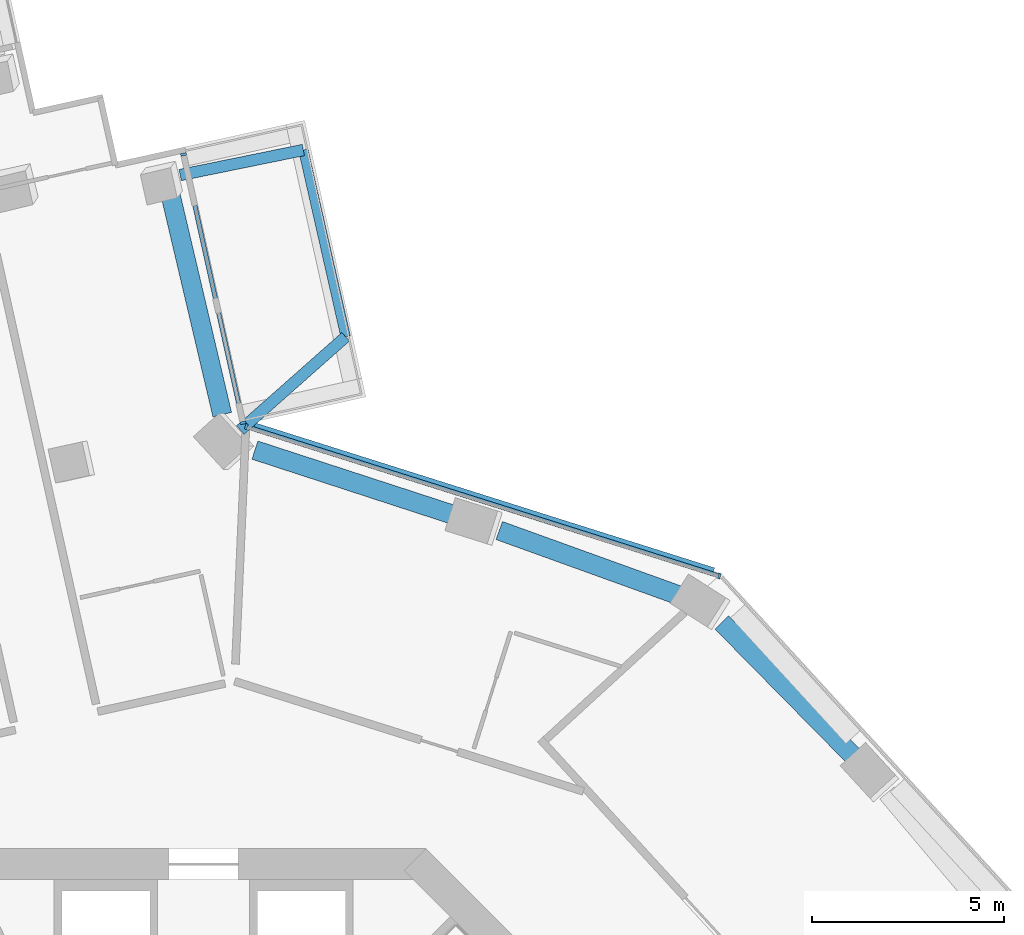
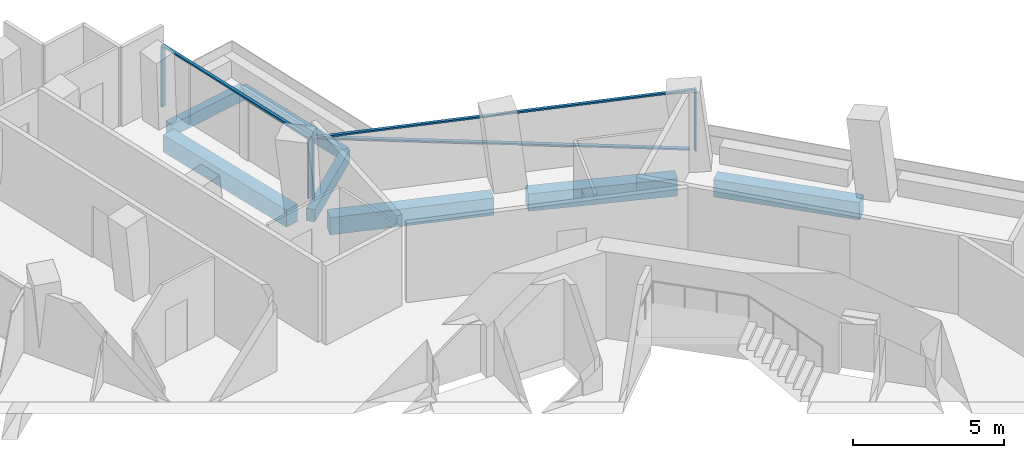
# One storey, part 9 of 24: 7 beams, 7 members, 2 elements without a shape of their own.
"""IFC4 building model written with IfcOpenShell, lengths in metres."""

from ifc_helpers import new_model, si_unit, direction, frame, origin, origin_2d, place, context, subcontext, project, spatial, rectangle, extrude, material, layer, layer_set, material_profile, profile_set, type_object, element, aggregate, save


model = new_model("IFC4")

# Units and contexts
model_context = context("Model", 3, precision=1e-05, world=origin(), true_north=direction((0.0, 1.0)))
body_context = subcontext(model_context, "Body", "Model", "MODEL_VIEW")
ifc_project = project(units=[si_unit("LENGTHUNIT", "METRE"), si_unit("AREAUNIT", "SQUARE_METRE"), si_unit("VOLUMEUNIT", "CUBIC_METRE"), si_unit("PLANEANGLEUNIT", "RADIAN"), si_unit("MASSUNIT", "GRAM", prefix="KILO")], contexts=[model_context])

# Site, building, storey
site_placement = place(None, origin())
site = spatial("IfcSite", under=ifc_project, at=site_placement, CompositionType="ELEMENT")
building_placement = place(site_placement, origin())
building = spatial("IfcBuilding", under=site, at=building_placement, Name="Verdalira Terraces Hotel", CompositionType="ELEMENT")
storey_placement = place(building_placement, frame((0.0, 0.0, 86.0)))
storey = spatial("IfcBuildingStorey", under=building, at=storey_placement, Name="L19", CompositionType="ELEMENT", Elevation=86.0)

# Beams
ifc_material_1 = material(Name="Concrete C40", Category="concrete")
ifc_material_profile_1 = material_profile(ifc_material_1, rectangle(XDim=0.300049, YDim=0.5, at=origin_2d()), Name="RC 300X500")
ifc_profile_set_1 = profile_set([ifc_material_profile_1], Name="Concrete C40")
beam_type_1 = type_object("IfcBeamType", Name="Balcony cantilever beam RC 300X500 C40", PredefinedType="BEAM", material=ifc_profile_set_1)
beam_1_placement = place(storey_placement, frame((0.955811, 24.919434, -0.560059), z_axis=(0.748733522, 0.662871113, 0.0), x_axis=(-0.662871113, 0.748733522, 0.0)))
element("IfcBeam", 1, at=beam_1_placement, inside=storey, type_object=beam_type_1, Name="Balcony cantilever beam R00-1", PredefinedType="BEAM", context=body_context, shape_type="SweptSolid", body=[
    extrude(rectangle(XDim=0.300049, YDim=0.5, at=origin_2d()), origin(), (0.0, 0.0, 1.0), 3.667969),
])
beam_2_placement = place(storey_placement, frame((-0.614014, 31.568604, -0.560059), z_axis=(0.979860899, 0.199681291, 0.0), x_axis=(-0.199681291, 0.979860899, 0.0)))
element("IfcBeam", 2, at=beam_2_placement, inside=storey, type_object=beam_type_1, Name="Balcony cantilever beam R00-2", PredefinedType="BEAM", context=body_context, shape_type="SweptSolid", body=[
    extrude(rectangle(XDim=0.300049, YDim=0.5, at=origin_2d()), origin(), (0.0, 0.0, 1.0), 3.277832),
])
ifc_material_2 = material(Name="Concrete C40", Category="concrete")
ifc_material_profile_2 = material_profile(ifc_material_2, rectangle(XDim=0.25, YDim=0.449951, at=origin_2d()), Name="RC 250X450")
ifc_profile_set_2 = profile_set([ifc_material_profile_2], Name="Concrete C40")
beam_type_2 = type_object("IfcBeamType", Name="Balcony edge beam RC 250X450 C40", PredefinedType="BEAM", material=ifc_profile_set_2)
beam_3_placement = place(storey_placement, frame((3.702148, 27.35083, -0.534912), z_axis=(-0.221031762, 0.97526661, 0.0), x_axis=(-0.97526661, -0.221031762, 0.0)))
element("IfcBeam", 3, at=beam_3_placement, inside=storey, type_object=beam_type_2, Name="Balcony edge beam R00-1", PredefinedType="BEAM", context=body_context, shape_type="SweptSolid", body=[
    extrude(rectangle(XDim=0.25, YDim=0.449951, at=origin_2d()), origin(), (0.0, 0.0, 1.0), 4.99585),
])

# Curtain wall, members
ifc_material_3 = material(Name="Clear glass", Category="glass")
ifc_layer_1 = layer(ifc_material_3, 0.14990234375)
ifc_layer_set_1 = layer_set([ifc_layer_1], Name="CW1 curtain wall")
curtain_wall_type_1 = type_object("IfcCurtainWallType", Name="CW1 curtain wall", PredefinedType="NOTDEFINED", material=ifc_layer_set_1)
curtain_wall_1_placement = place(storey_placement, origin())
curtain_wall_1 = element("IfcCurtainWall", 4, at=curtain_wall_1_placement, inside=storey, type_object=curtain_wall_type_1, Name="CW1 curtain wall L19 edge 41", PredefinedType="NOTDEFINED")
ifc_material_4 = material(Name="Terracotta frame", Category="masonry")
ifc_material_profile_3 = material_profile(ifc_material_4, rectangle(XDim=0.060059, YDim=0.149902, at=origin_2d()), Name="MU 60x150")
ifc_profile_set_3 = profile_set([ifc_material_profile_3], Name="Terracotta frame")
member_type_1 = type_object("IfcMemberType", Name="CW1 mullion 60x150", PredefinedType="MULLION", material=ifc_profile_set_3)
member_1_placement = place(storey_placement, frame((13.449951, 21.11377, 0.0), z_axis=(0.0, 0.0, 1.0), x_axis=(-0.953611927, 0.301038691, 0.0)))
member_1 = element("IfcMember", 5, at=member_1_placement, type_object=member_type_1, Name="CW1 mullion", PredefinedType="MULLION", context=body_context, shape_type="SweptSolid", body=[
    extrude(rectangle(XDim=0.060059, YDim=0.149902, at=origin_2d()), origin(), (0.0, 0.0, 1.0), 2.425049),
])
member_2_placement = place(storey_placement, frame((1.110352, 25.009277, 0.0), z_axis=(0.0, 0.0, 1.0), x_axis=(-0.953611927, 0.301038691, 0.0)))
member_2 = element("IfcMember", 6, at=member_2_placement, type_object=member_type_1, Name="CW1 mullion", PredefinedType="MULLION", context=body_context, shape_type="SweptSolid", body=[
    extrude(rectangle(XDim=0.060059, YDim=0.149902, at=origin_2d()), origin(), (0.0, 0.0, 1.0), 2.425049),
])
ifc_material_5 = material(Name="Terracotta frame", Category="masonry")
ifc_material_profile_4 = material_profile(ifc_material_5, rectangle(XDim=0.110107, YDim=0.064941, at=origin_2d()), Name="TR 65x110")
ifc_profile_set_4 = profile_set([ifc_material_profile_4], Name="Terracotta frame")
member_type_2 = type_object("IfcMemberType", Name="CW1 transom 65x110", PredefinedType="USERDEFINED", material=ifc_profile_set_4)
member_3_placement = place(storey_placement, frame((13.478516, 21.104736, 2.45752), z_axis=(-0.953610476, 0.301043285, 0.0), x_axis=(-0.301043285, -0.953610476, 0.0)))
member_3 = element("IfcMember", 7, at=member_3_placement, type_object=member_type_2, Name="CW1 transom", ObjectType="TRANSOM", PredefinedType="USERDEFINED", context=body_context, shape_type="SweptSolid", body=[
    extrude(rectangle(XDim=0.110107, YDim=0.064941, at=origin_2d()), origin(), (0.0, 0.0, 1.0), 13.0),
])

ifc_material_6 = material(Name="Clear glass", Category="glass")
ifc_layer_2 = layer(ifc_material_6, 0.14990234375)
ifc_layer_set_2 = layer_set([ifc_layer_2], Name="CW2 curtain wall")
curtain_wall_type_2 = type_object("IfcCurtainWallType", Name="CW2 curtain wall", PredefinedType="NOTDEFINED", material=ifc_layer_set_2)
curtain_wall_2_placement = place(storey_placement, origin())
curtain_wall_2 = element("IfcCurtainWall", 8, at=curtain_wall_2_placement, inside=storey, type_object=curtain_wall_type_2, Name="CW2 curtain wall L19 edge 0", PredefinedType="NOTDEFINED")
ifc_material_7 = material(Name="Terracotta frame", Category="masonry")
ifc_material_profile_5 = material_profile(ifc_material_7, rectangle(XDim=0.070068, YDim=0.149902, at=origin_2d()), Name="MU 70x150")
ifc_profile_set_5 = profile_set([ifc_material_profile_5], Name="Terracotta frame")
member_type_3 = type_object("IfcMemberType", Name="CW2 mullion 70x150", PredefinedType="MULLION", material=ifc_profile_set_5)
member_4_placement = place(storey_placement, frame((1.023438, 25.107666, 0.0), z_axis=(0.0, 0.0, 1.0), x_axis=(-0.216098809, 0.976371499, 0.0)))
member_4 = element("IfcMember", 9, at=member_4_placement, type_object=member_type_3, Name="CW2 mullion", PredefinedType="MULLION", context=body_context, shape_type="SweptSolid", body=[
    extrude(rectangle(XDim=0.070068, YDim=0.149902, at=origin_2d()), origin(), (0.0, 0.0, 1.0), 2.425049),
])
member_5_placement = place(storey_placement, frame((-0.525635, 32.106934, 0.0), z_axis=(0.0, 0.0, 1.0), x_axis=(-0.216098809, 0.976371499, 0.0)))
member_5 = element("IfcMember", 10, at=member_5_placement, type_object=member_type_3, Name="CW2 mullion", PredefinedType="MULLION", context=body_context, shape_type="SweptSolid", body=[
    extrude(rectangle(XDim=0.070068, YDim=0.149902, at=origin_2d()), origin(), (0.0, 0.0, 1.0), 2.425049),
])
ifc_material_8 = material(Name="Terracotta frame", Category="masonry")
ifc_material_profile_6 = material_profile(ifc_material_8, rectangle(XDim=0.11499, YDim=0.064941, at=origin_2d()), Name="TR 65x115")
ifc_profile_set_6 = profile_set([ifc_material_profile_6], Name="Terracotta frame")
member_type_4 = type_object("IfcMemberType", Name="CW2 transom 65x115", PredefinedType="USERDEFINED", material=ifc_profile_set_6)
member_6_placement = place(storey_placement, frame((1.031006, 25.073486, 2.45752), z_axis=(-0.216091162, 0.976373192, 0.0), x_axis=(-0.976373192, -0.216091162, 0.0)))
member_6 = element("IfcMember", 11, at=member_6_placement, type_object=member_type_4, Name="CW2 transom", ObjectType="TRANSOM", PredefinedType="USERDEFINED", context=body_context, shape_type="SweptSolid", body=[
    extrude(rectangle(XDim=0.11499, YDim=0.064941, at=origin_2d()), origin(), (0.0, 0.0, 1.0), 7.23877),
])
aggregate(curtain_wall_2, [member_4, member_5, member_6])

# Member
ifc_material_9 = material(Name="Terracotta frame", Category="masonry")
ifc_material_profile_7 = material_profile(ifc_material_9, rectangle(XDim=0.149902, YDim=0.060059, at=origin_2d()), Name="GB 60x150")
ifc_profile_set_7 = profile_set([ifc_material_profile_7], Name="Terracotta frame")
member_type_5 = type_object("IfcMemberType", Name="Diagonal glazing bar 60x150", PredefinedType="USERDEFINED", material=ifc_profile_set_7)
member_7_placement = place(storey_placement, frame((13.296875, 21.255371, 0.029785), z_axis=(-0.937141318, 0.295847894, 0.185041007), x_axis=(-0.30104673, -0.953609389, 0.0)))
member_7 = element("IfcMember", 12, at=member_7_placement, type_object=member_type_5, Name="Diagonal glazing bar", ObjectType="GLAZING BAR", PredefinedType="USERDEFINED", context=body_context, shape_type="SweptSolid", body=[
    extrude(rectangle(XDim=0.149902, YDim=0.060059, at=origin_2d()), origin(), (0.0, 0.0, 1.0), 12.783447),
])

aggregate(curtain_wall_1, [member_1, member_2, member_3, member_7])

# Beams
ifc_material_10 = material(Name="Concrete C70", Category="concrete")
ifc_material_profile_8 = material_profile(ifc_material_10, rectangle(XDim=0.5, YDim=0.699951, at=origin_2d()), Name="RC 500X700")
ifc_profile_set_8 = profile_set([ifc_material_profile_8], Name="Concrete C70")
beam_type_3 = type_object("IfcBeamType", Name="Spandrel beam RC 500X700 C70", PredefinedType="SPANDREL", material=ifc_profile_set_8)
beam_4_placement = place(storey_placement, frame((0.48291, 25.320557, -0.659912), z_axis=(-0.228913772, 0.973446704, 0.0), x_axis=(-0.973446704, -0.228913772, 0.0)))
element("IfcBeam", 13, at=beam_4_placement, inside=storey, type_object=beam_type_3, Name="Spandrel beam B01", PredefinedType="SPANDREL", context=body_context, shape_type="SweptSolid", body=[
    extrude(rectangle(XDim=0.5, YDim=0.699951, at=origin_2d()), origin(), (0.0, 0.0, 1.0), 5.960693),
])
beam_5_placement = place(storey_placement, frame((17.026855, 16.330811, -0.659912), z_axis=(-0.701507601, 0.712661971, 0.0), x_axis=(-0.712661971, -0.701507601, 0.0)))
element("IfcBeam", 14, at=beam_5_placement, inside=storey, type_object=beam_type_3, Name="Spandrel beam B27", PredefinedType="SPANDREL", context=body_context, shape_type="SweptSolid", body=[
    extrude(rectangle(XDim=0.5, YDim=0.699951, at=origin_2d()), origin(), (0.0, 0.0, 1.0), 5.012207),
])
beam_6_placement = place(storey_placement, frame((12.425293, 20.595947, -0.659912), z_axis=(-0.940633352, 0.339424362, 0.0), x_axis=(-0.339424362, -0.940633352, 0.0)))
element("IfcBeam", 15, at=beam_6_placement, inside=storey, type_object=beam_type_3, Name="Spandrel beam B28", PredefinedType="SPANDREL", context=body_context, shape_type="SweptSolid", body=[
    extrude(rectangle(XDim=0.5, YDim=0.699951, at=origin_2d()), origin(), (0.0, 0.0, 1.0), 5.015625),
])
beam_7_placement = place(storey_placement, frame((6.606934, 22.676514, -0.659912), z_axis=(-0.950710934, 0.31007857, 0.0), x_axis=(-0.31007857, -0.950710934, 0.0)))
element("IfcBeam", 16, at=beam_7_placement, inside=storey, type_object=beam_type_3, Name="Spandrel beam B29", PredefinedType="SPANDREL", context=body_context, shape_type="SweptSolid", body=[
    extrude(rectangle(XDim=0.5, YDim=0.699951, at=origin_2d()), origin(), (0.0, 0.0, 1.0), 5.544434),
])

save(model, "model.ifc")
